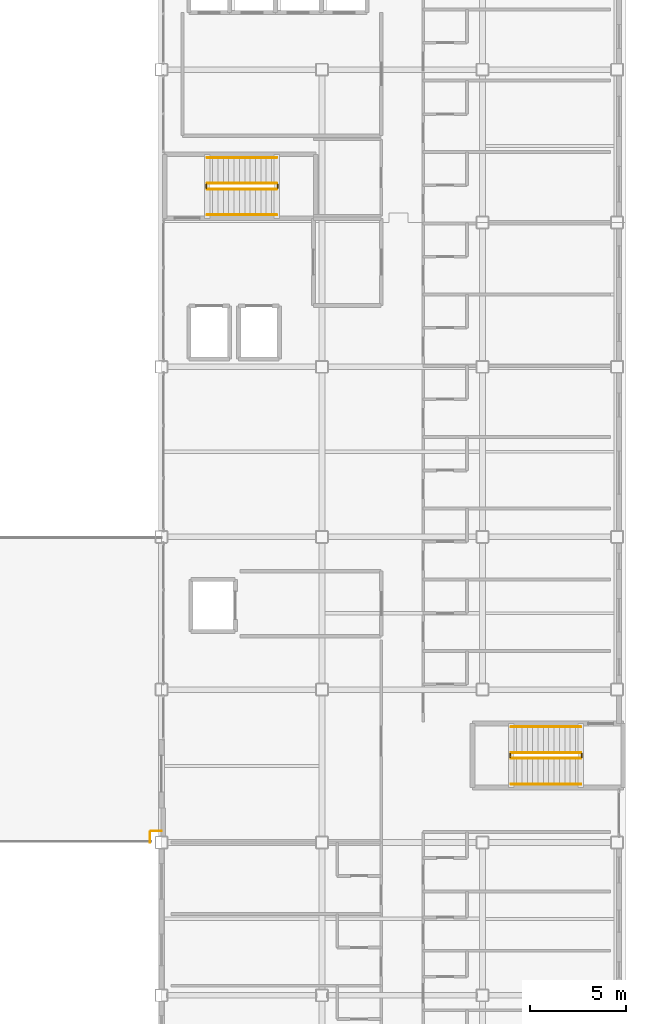
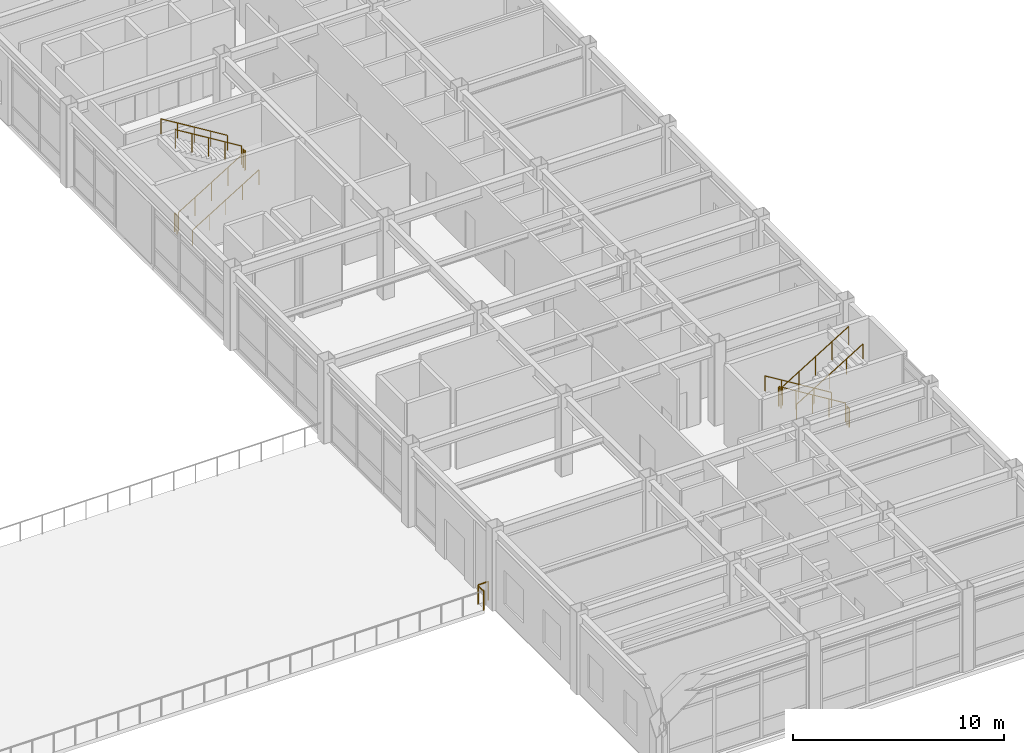
# One storey, part 60 of 61: 14 railings.
"""IFC4 building model written with IfcOpenShell, lengths in metres."""

from ifc_helpers import new_model, si_unit, direction, frame, origin, origin_2d, place, context, subcontext, project, spatial, circle, extrude, material, type_object, element, save


model = new_model("IFC4")

# Units and contexts
model_context = context("Model", 3, precision=1e-05, world=origin(), true_north=direction((0.0, 1.0)))
body_context = subcontext(model_context, "Body", "Model", "MODEL_VIEW")
ifc_project = project(units=[si_unit("LENGTHUNIT", "METRE"), si_unit("AREAUNIT", "SQUARE_METRE"), si_unit("VOLUMEUNIT", "CUBIC_METRE"), si_unit("PLANEANGLEUNIT", "RADIAN"), si_unit("MASSUNIT", "GRAM", prefix="KILO")], contexts=[model_context])

# Site, building, storey
site_placement = place(None, origin())
site = spatial("IfcSite", under=ifc_project, at=site_placement, CompositionType="ELEMENT")
building_placement = place(site_placement, origin())
building = spatial("IfcBuilding", under=site, at=building_placement, Name="Kazehara Bluff Congress Hotel", CompositionType="ELEMENT")
storey_placement = place(building_placement, frame((0.0, 0.0, 19.800048828125)))
storey = spatial("IfcBuildingStorey", under=building, at=storey_placement, Name="L04", CompositionType="ELEMENT", Elevation=19.800048828125)

# Railings
ifc_material_1 = material(Name="Painted galvanised steel", Category="steel")
railing_type_1 = type_object("IfcRailingType", Name="TP-GRD-EXT", PredefinedType="BALUSTRADE", material=ifc_material_1)
railing_1_placement = place(storey_placement, frame((143.699951171875, 16.60009765625, 0.0)))
element("IfcRailing", 1, at=railing_1_placement, inside=storey, type_object=railing_type_1, Name="Club Lounge Courtyard Roof Terrace edge guard 1", PredefinedType="BALUSTRADE", context=body_context, shape_type="SweptSolid", body=[
    extrude(circle(Radius=0.02392578125, at=origin_2d()), frame((0.0, 0.0, 1.076171875), z_axis=(-1.0, 0.0, 0.0), x_axis=(0.0, -1.0, 0.0)), (0.0, 0.0, 1.0), 0.550048828125),
    extrude(circle(Radius=0.02099609375, at=origin_2d()), origin(), (0.0, 0.0, 1.0), 1.052001953125),
    extrude(circle(Radius=0.02099609375, at=origin_2d()), frame((-0.550048828125, 0.0, 0.0)), (0.0, 0.0, 1.0), 1.052001953125),
])
railing_2_placement = place(storey_placement, frame((143.10009765625, 16.550048828125, 0.0)))
element("IfcRailing", 2, at=railing_2_placement, inside=storey, type_object=railing_type_1, Name="Club Lounge Courtyard Roof Terrace edge guard 2", PredefinedType="BALUSTRADE", context=body_context, shape_type="SweptSolid", body=[
    extrude(circle(Radius=0.02392578125, at=origin_2d()), frame((0.0, 0.0, 1.076171875), z_axis=(0.0, -1.0, 0.0), x_axis=(1.0, 0.0, 0.0)), (0.0, 0.0, 1.0), 0.550048828125),
    extrude(circle(Radius=0.02099609375, at=origin_2d()), origin(), (0.0, 0.0, 1.0), 1.052001953125),
    extrude(circle(Radius=0.02099609375, at=origin_2d()), frame((0.0, -0.550048828125, 0.0)), (0.0, 0.0, 1.0), 1.052001953125),
])
ifc_material_2 = material(Name="Brushed stainless steel", Category="steel")
railing_type_2 = type_object("IfcRailingType", Name="TP-GRD-INT", PredefinedType="GUARDRAIL", material=ifc_material_2)
railing_3_placement = place(storey_placement, frame((165.64990234375, 20.699951171875, 0.17138671875)))
element("IfcRailing", 3, at=railing_3_placement, inside=storey, type_object=railing_type_2, Name="L04 ST-10 stair guard 1", PredefinedType="GUARDRAIL", context=body_context, shape_type="SweptSolid", body=[
    extrude(circle(Radius=0.02392578125, at=origin_2d()), frame((0.0, 0.0, 1.076171875), z_axis=(-0.852850264322, 0.0, 0.5221555579), x_axis=(0.0, -1.0, 0.0)), (0.0, 0.0, 1.0), 4.267822265625),
    extrude(circle(Radius=0.02099609375, at=origin_2d()), origin(), (0.0, 0.0, 1.0), 1.052001953125),
    extrude(circle(Radius=0.02099609375, at=origin_2d()), frame((-0.909912109375, 0.0, 0.55712890625)), (0.0, 0.0, 1.0), 1.052001953125),
    extrude(circle(Radius=0.02099609375, at=origin_2d()), frame((-1.81982421875, 0.0, 1.1142578125)), (0.0, 0.0, 1.0), 1.052001953125),
    extrude(circle(Radius=0.02099609375, at=origin_2d()), frame((-2.72998046875, 0.0, 1.67138671875)), (0.0, 0.0, 1.0), 1.052001953125),
    extrude(circle(Radius=0.02099609375, at=origin_2d()), frame((-3.639892578125, 0.0, 2.228515625)), (0.0, 0.0, 1.0), 1.052001953125),
])
railing_4_placement = place(storey_placement, frame((161.9599609375, 20.64990234375, 2.39990234375)))
element("IfcRailing", 4, at=railing_4_placement, inside=storey, type_object=railing_type_2, Name="L04 ST-10 stair guard 2", PredefinedType="GUARDRAIL", context=body_context, shape_type="SweptSolid", body=[
    extrude(circle(Radius=0.02392578125, at=origin_2d()), frame((0.0, 0.0, 1.076171875), z_axis=(0.0, -1.0, 0.0), x_axis=(1.0, 0.0, 0.0)), (0.0, 0.0, 1.0), 0.199951171875),
    extrude(circle(Radius=0.02099609375, at=origin_2d()), origin(), (0.0, 0.0, 1.0), 1.052001953125),
    extrude(circle(Radius=0.02099609375, at=origin_2d()), frame((0.0, -0.199951171875, 0.0)), (0.0, 0.0, 1.0), 1.052001953125),
])
railing_5_placement = place(storey_placement, frame((162.010009765625, 20.39990234375, 2.5712890625)))
element("IfcRailing", 5, at=railing_5_placement, inside=storey, type_object=railing_type_2, Name="L04 ST-10 stair guard 3", PredefinedType="GUARDRAIL", context=body_context, shape_type="SweptSolid", body=[
    extrude(circle(Radius=0.02392578125, at=origin_2d()), frame((0.0, 0.0, 1.076171875), z_axis=(0.852824790078, 0.0, 0.522197163366), x_axis=(0.0, 1.0, 0.0)), (0.0, 0.0, 1.0), 4.26806640625),
    extrude(circle(Radius=0.02099609375, at=origin_2d()), origin(), (0.0, 0.0, 1.0), 1.052001953125),
    extrude(circle(Radius=0.02099609375, at=origin_2d()), frame((0.909912109375, 0.0, 0.55712890625)), (0.0, 0.0, 1.0), 1.052001953125),
    extrude(circle(Radius=0.02099609375, at=origin_2d()), frame((1.81982421875, 0.0, 1.1142578125)), (0.0, 0.0, 1.0), 1.052001953125),
    extrude(circle(Radius=0.02099609375, at=origin_2d()), frame((2.72998046875, 0.0, 1.671630859375)), (0.0, 0.0, 1.0), 1.052001953125),
    extrude(circle(Radius=0.02099609375, at=origin_2d()), frame((3.639892578125, 0.0, 2.228759765625)), (0.0, 0.0, 1.0), 1.052001953125),
])
railing_6_placement = place(storey_placement, frame((165.699951171875, 20.64990234375, 0.0)))
element("IfcRailing", 6, at=railing_6_placement, inside=storey, type_object=railing_type_2, Name="L04 ST-10 stair guard 4", PredefinedType="GUARDRAIL", context=body_context, shape_type="SweptSolid", body=[
    extrude(circle(Radius=0.02392578125, at=origin_2d()), frame((0.0, 0.0, 1.076171875), z_axis=(0.0, -1.0, 0.0), x_axis=(1.0, 0.0, 0.0)), (0.0, 0.0, 1.0), 0.199951171875),
    extrude(circle(Radius=0.02099609375, at=origin_2d()), origin(), (0.0, 0.0, 1.0), 1.052001953125),
    extrude(circle(Radius=0.02099609375, at=origin_2d()), frame((0.0, -0.199951171875, 0.0)), (0.0, 0.0, 1.0), 1.052001953125),
])
railing_7_placement = place(storey_placement, frame((146.10009765625, 50.199951171875, 0.17138671875)))
element("IfcRailing", 7, at=railing_7_placement, inside=storey, type_object=railing_type_2, Name="L04 ST-11 stair guard 1", PredefinedType="GUARDRAIL", context=body_context, shape_type="SweptSolid", body=[
    extrude(circle(Radius=0.02392578125, at=origin_2d()), frame((0.0, 0.0, 1.076171875), z_axis=(0.852850264322, 0.0, 0.5221555579), x_axis=(0.0, 1.0, 0.0)), (0.0, 0.0, 1.0), 4.267822265625),
    extrude(circle(Radius=0.02099609375, at=origin_2d()), origin(), (0.0, 0.0, 1.0), 1.052001953125),
    extrude(circle(Radius=0.02099609375, at=origin_2d()), frame((0.909912109375, 0.0, 0.55712890625)), (0.0, 0.0, 1.0), 1.052001953125),
    extrude(circle(Radius=0.02099609375, at=origin_2d()), frame((1.81982421875, 0.0, 1.1142578125)), (0.0, 0.0, 1.0), 1.052001953125),
    extrude(circle(Radius=0.02099609375, at=origin_2d()), frame((2.72998046875, 0.0, 1.67138671875)), (0.0, 0.0, 1.0), 1.052001953125),
    extrude(circle(Radius=0.02099609375, at=origin_2d()), frame((3.639892578125, 0.0, 2.228515625)), (0.0, 0.0, 1.0), 1.052001953125),
])
railing_8_placement = place(storey_placement, frame((149.7900390625, 50.25, 2.39990234375)))
element("IfcRailing", 8, at=railing_8_placement, inside=storey, type_object=railing_type_2, Name="L04 ST-11 stair guard 2", PredefinedType="GUARDRAIL", context=body_context, shape_type="SweptSolid", body=[
    extrude(circle(Radius=0.02392578125, at=origin_2d()), frame((0.0, 0.0, 1.076171875), z_axis=(0.0, 1.0, 0.0), x_axis=(-1.0, 0.0, 0.0)), (0.0, 0.0, 1.0), 0.199951171875),
    extrude(circle(Radius=0.02099609375, at=origin_2d()), origin(), (0.0, 0.0, 1.0), 1.052001953125),
    extrude(circle(Radius=0.02099609375, at=origin_2d()), frame((0.0, 0.199951171875, 0.0)), (0.0, 0.0, 1.0), 1.052001953125),
])
railing_9_placement = place(storey_placement, frame((149.739990234375, 50.5, 2.5712890625)))
element("IfcRailing", 9, at=railing_9_placement, inside=storey, type_object=railing_type_2, Name="L04 ST-11 stair guard 3", PredefinedType="GUARDRAIL", context=body_context, shape_type="SweptSolid", body=[
    extrude(circle(Radius=0.02392578125, at=origin_2d()), frame((0.0, 0.0, 1.076171875), z_axis=(-0.852824790078, 0.0, 0.522197163366), x_axis=(0.0, -1.0, 0.0)), (0.0, 0.0, 1.0), 4.26806640625),
    extrude(circle(Radius=0.02099609375, at=origin_2d()), origin(), (0.0, 0.0, 1.0), 1.052001953125),
    extrude(circle(Radius=0.02099609375, at=origin_2d()), frame((-0.909912109375, 0.0, 0.55712890625)), (0.0, 0.0, 1.0), 1.052001953125),
    extrude(circle(Radius=0.02099609375, at=origin_2d()), frame((-1.81982421875, 0.0, 1.1142578125)), (0.0, 0.0, 1.0), 1.052001953125),
    extrude(circle(Radius=0.02099609375, at=origin_2d()), frame((-2.72998046875, 0.0, 1.671630859375)), (0.0, 0.0, 1.0), 1.052001953125),
    extrude(circle(Radius=0.02099609375, at=origin_2d()), frame((-3.639892578125, 0.0, 2.228759765625)), (0.0, 0.0, 1.0), 1.052001953125),
])
railing_10_placement = place(storey_placement, frame((146.050048828125, 50.25, 0.0)))
element("IfcRailing", 10, at=railing_10_placement, inside=storey, type_object=railing_type_2, Name="L04 ST-11 stair guard 4", PredefinedType="GUARDRAIL", context=body_context, shape_type="SweptSolid", body=[
    extrude(circle(Radius=0.02392578125, at=origin_2d()), frame((0.0, 0.0, 1.076171875), z_axis=(0.0, 1.0, 0.0), x_axis=(-1.0, 0.0, 0.0)), (0.0, 0.0, 1.0), 0.199951171875),
    extrude(circle(Radius=0.02099609375, at=origin_2d()), origin(), (0.0, 0.0, 1.0), 1.052001953125),
    extrude(circle(Radius=0.02099609375, at=origin_2d()), frame((0.0, 0.199951171875, 0.0)), (0.0, 0.0, 1.0), 1.052001953125),
])
ifc_material_3 = material(Name="Brushed stainless steel", Category="steel")
railing_type_3 = type_object("IfcRailingType", Name="TP-HR-INT", PredefinedType="HANDRAIL", material=ifc_material_3)
railing_11_placement = place(storey_placement, frame((165.64990234375, 22.050048828125, 0.17138671875)))
element("IfcRailing", 11, at=railing_11_placement, inside=storey, type_object=railing_type_3, Name="L04 ST-10 stair handrail 1", PredefinedType="HANDRAIL", context=body_context, shape_type="SweptSolid", body=[
    extrude(circle(Radius=0.02392578125, at=origin_2d()), frame((0.0, 0.0, 0.8759765625), z_axis=(-0.852850264322, 0.0, 0.5221555579), x_axis=(0.0, -1.0, 0.0)), (0.0, 0.0, 1.0), 4.267822265625),
    extrude(circle(Radius=0.02099609375, at=origin_2d()), origin(), (0.0, 0.0, 1.0), 0.851806640625),
    extrude(circle(Radius=0.02099609375, at=origin_2d()), frame((-0.909912109375, 0.0, 0.55712890625)), (0.0, 0.0, 1.0), 0.851806640625),
    extrude(circle(Radius=0.02099609375, at=origin_2d()), frame((-1.81982421875, 0.0, 1.1142578125)), (0.0, 0.0, 1.0), 0.851806640625),
    extrude(circle(Radius=0.02099609375, at=origin_2d()), frame((-2.72998046875, 0.0, 1.67138671875)), (0.0, 0.0, 1.0), 0.851806640625),
    extrude(circle(Radius=0.02099609375, at=origin_2d()), frame((-3.639892578125, 0.0, 2.228515625)), (0.0, 0.0, 1.0), 0.851806640625),
])
railing_12_placement = place(storey_placement, frame((162.010009765625, 19.050048828125, 2.5712890625)))
element("IfcRailing", 12, at=railing_12_placement, inside=storey, type_object=railing_type_3, Name="L04 ST-10 stair handrail 2", PredefinedType="HANDRAIL", context=body_context, shape_type="SweptSolid", body=[
    extrude(circle(Radius=0.02392578125, at=origin_2d()), frame((0.0, 0.0, 0.8759765625), z_axis=(0.852824790078, 0.0, 0.522197163366), x_axis=(0.0, 1.0, 0.0)), (0.0, 0.0, 1.0), 4.26806640625),
    extrude(circle(Radius=0.02099609375, at=origin_2d()), origin(), (0.0, 0.0, 1.0), 0.851806640625),
    extrude(circle(Radius=0.02099609375, at=origin_2d()), frame((0.909912109375, 0.0, 0.55712890625)), (0.0, 0.0, 1.0), 0.851806640625),
    extrude(circle(Radius=0.02099609375, at=origin_2d()), frame((1.81982421875, 0.0, 1.1142578125)), (0.0, 0.0, 1.0), 0.851806640625),
    extrude(circle(Radius=0.02099609375, at=origin_2d()), frame((2.72998046875, 0.0, 1.671630859375)), (0.0, 0.0, 1.0), 0.851806640625),
    extrude(circle(Radius=0.02099609375, at=origin_2d()), frame((3.639892578125, 0.0, 2.228759765625)), (0.0, 0.0, 1.0), 0.851806640625),
])
railing_13_placement = place(storey_placement, frame((146.10009765625, 48.85009765625, 0.17138671875)))
element("IfcRailing", 13, at=railing_13_placement, inside=storey, type_object=railing_type_3, Name="L04 ST-11 stair handrail 1", PredefinedType="HANDRAIL", context=body_context, shape_type="SweptSolid", body=[
    extrude(circle(Radius=0.02392578125, at=origin_2d()), frame((0.0, 0.0, 0.8759765625), z_axis=(0.852850264322, 0.0, 0.5221555579), x_axis=(0.0, 1.0, 0.0)), (0.0, 0.0, 1.0), 4.267822265625),
    extrude(circle(Radius=0.02099609375, at=origin_2d()), origin(), (0.0, 0.0, 1.0), 0.851806640625),
    extrude(circle(Radius=0.02099609375, at=origin_2d()), frame((0.909912109375, 0.0, 0.55712890625)), (0.0, 0.0, 1.0), 0.851806640625),
    extrude(circle(Radius=0.02099609375, at=origin_2d()), frame((1.81982421875, 0.0, 1.1142578125)), (0.0, 0.0, 1.0), 0.851806640625),
    extrude(circle(Radius=0.02099609375, at=origin_2d()), frame((2.72998046875, 0.0, 1.67138671875)), (0.0, 0.0, 1.0), 0.851806640625),
    extrude(circle(Radius=0.02099609375, at=origin_2d()), frame((3.639892578125, 0.0, 2.228515625)), (0.0, 0.0, 1.0), 0.851806640625),
])
railing_14_placement = place(storey_placement, frame((149.739990234375, 51.85009765625, 2.5712890625)))
element("IfcRailing", 14, at=railing_14_placement, inside=storey, type_object=railing_type_3, Name="L04 ST-11 stair handrail 2", PredefinedType="HANDRAIL", context=body_context, shape_type="SweptSolid", body=[
    extrude(circle(Radius=0.02392578125, at=origin_2d()), frame((0.0, 0.0, 0.8759765625), z_axis=(-0.852824790078, 0.0, 0.522197163366), x_axis=(0.0, -1.0, 0.0)), (0.0, 0.0, 1.0), 4.26806640625),
    extrude(circle(Radius=0.02099609375, at=origin_2d()), origin(), (0.0, 0.0, 1.0), 0.851806640625),
    extrude(circle(Radius=0.02099609375, at=origin_2d()), frame((-0.909912109375, 0.0, 0.55712890625)), (0.0, 0.0, 1.0), 0.851806640625),
    extrude(circle(Radius=0.02099609375, at=origin_2d()), frame((-1.81982421875, 0.0, 1.1142578125)), (0.0, 0.0, 1.0), 0.851806640625),
    extrude(circle(Radius=0.02099609375, at=origin_2d()), frame((-2.72998046875, 0.0, 1.671630859375)), (0.0, 0.0, 1.0), 0.851806640625),
    extrude(circle(Radius=0.02099609375, at=origin_2d()), frame((-3.639892578125, 0.0, 2.228759765625)), (0.0, 0.0, 1.0), 0.851806640625),
])

save(model, "model.ifc")
